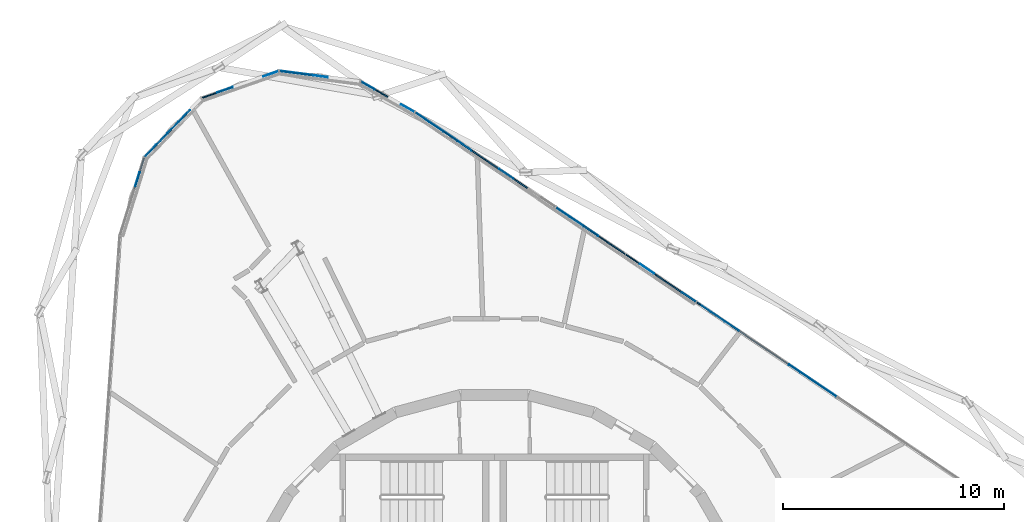
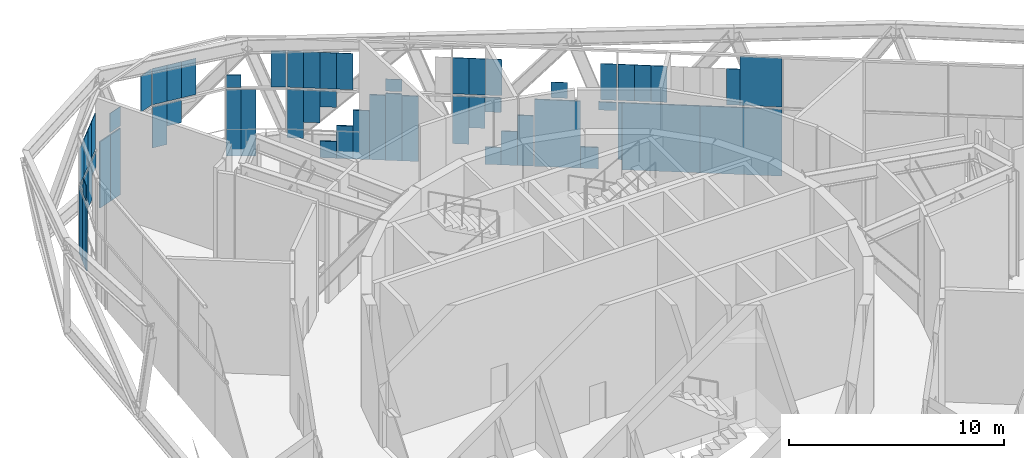
# One storey, part 14 of 24: 60 plates, 2 elements without a shape of their own.
"""IFC4 building model written with IfcOpenShell, lengths in metres."""

import ifcopenshell
import ifcopenshell.guid

model = None  # the IFC model being written
_history = None  # IfcOwnerHistory: only IFC2X3 demands one
_inside = {}  # id of a spatial element -> (the spatial element, [elements in it])
_under = {}  # id of a project, library or spatial element -> (it, [spatial elements below it])
_declared = {}  # id of a project -> (the project, [libraries it declares])
_typed = {}  # id of a type object -> (the type object, [elements of that type])
_made_of = {}  # id of a material, layer set ... -> (it, [elements and type objects made of it])


def new_model(schema):
    """Start an empty IFC model of exactly this schema.

    Asked for "IFC4X3", IfcOpenShell would pick the latest addendum, in which some entities
    have other attributes; the version numbers below select the first issue.
    IFC2X3 requires an IfcOwnerHistory on every rooted entity: one is made here for all.
    """
    global model, _history
    if schema == "IFC4X3":
        model = ifcopenshell.file(schema_version=(4, 3, 0, 0))
    else:
        model = ifcopenshell.file(schema=schema)
    _inside.clear()
    _under.clear()
    _declared.clear()
    _typed.clear()
    _made_of.clear()
    _history = None
    if model.schema == "IFC2X3":
        org = make("IfcOrganization", Name="unknown")
        user = make(
            "IfcPersonAndOrganization",
            ThePerson=make("IfcPerson", FamilyName="unknown"),
            TheOrganization=org,
        )
        app = make(
            "IfcApplication",
            ApplicationDeveloper=org,
            Version="unknown",
            ApplicationFullName="unknown",
            ApplicationIdentifier="unknown",
        )
        _history = make(
            "IfcOwnerHistory",
            OwningUser=user,
            OwningApplication=app,
            ChangeAction="ADDED",
            CreationDate=0,
        )
    return model


def make(cls, **values):
    """One entity of the class cls with the attributes given. An attribute that is None is left unset."""
    return model.create_entity(
        cls, **{name: value for name, value in values.items() if value is not None}
    )


def rooted(cls, **values):
    """An entity with a GlobalId (a new one), such as an element, a storey or a relation."""
    return make(cls, GlobalId=ifcopenshell.guid.new(), OwnerHistory=_history, **values)


def si_unit(unit_type, name, prefix=None):
    """IfcSIUnit, for example si_unit("LENGTHUNIT", "METRE", prefix="MILLI")."""
    return make("IfcSIUnit", UnitType=unit_type, Prefix=prefix, Name=name)


def assignment(units):
    """IfcUnitAssignment: the units of a project."""
    return None if units is None else make("IfcUnitAssignment", Units=units)


def point(xyz):
    """IfcCartesianPoint."""
    return None if xyz is None else make("IfcCartesianPoint", Coordinates=xyz)


def direction(xyz):
    """IfcDirection."""
    return None if xyz is None else make("IfcDirection", DirectionRatios=xyz)


def frame(location, z_axis=None, x_axis=None):
    """IfcAxis2Placement3D, a coordinate frame: its origin and axes. An axis left out is left unset."""
    return make(
        "IfcAxis2Placement3D",
        Location=point(location),
        Axis=direction(z_axis),
        RefDirection=direction(x_axis),
    )


def frame_2d(location, x_axis=None):
    """IfcAxis2Placement2D, a coordinate frame in the plane: its origin and x axis."""
    return make(
        "IfcAxis2Placement2D", Location=point(location), RefDirection=direction(x_axis)
    )


def origin():
    """The frame at (0, 0, 0) with its axes left unset."""
    return frame((0.0, 0.0, 0.0))


def origin_2d():
    """The frame at (0, 0) in the plane with its x axis left unset."""
    return frame_2d((0.0, 0.0))


def place(relative_to, where):
    """IfcLocalPlacement: puts the frame where relative to a parent placement (None: the world)."""
    return make(
        "IfcLocalPlacement", PlacementRelTo=relative_to, RelativePlacement=where
    )


def context(
    kind, dimensions, precision=None, world=None, true_north=None, identifier=None
):
    """IfcGeometricRepresentationContext, for example the 3D "Model" context."""
    return make(
        "IfcGeometricRepresentationContext",
        ContextIdentifier=identifier,
        ContextType=kind,
        CoordinateSpaceDimension=dimensions,
        Precision=precision,
        WorldCoordinateSystem=world,
        TrueNorth=true_north,
    )


def subcontext(parent, identifier, kind, view, scale=None):
    """IfcGeometricRepresentationSubContext, for example "Body" below "Model"."""
    return make(
        "IfcGeometricRepresentationSubContext",
        ContextIdentifier=identifier,
        ContextType=kind,
        ParentContext=parent,
        TargetScale=scale,
        TargetView=view,
    )


def project(units=None, contexts=None):
    """IfcProject with its units and contexts."""
    return rooted(
        "IfcProject",
        Name="project",
        RepresentationContexts=contexts,
        UnitsInContext=assignment(units),
    )


def spatial(cls, under=None, at=None, **own):
    """A site, building, storey or space (cls), placed at a placement, below another one or the project."""
    s = rooted(cls, ObjectPlacement=at, **own)
    if under is not None:
        _under.setdefault(under.id(), (under, []))[1].append(s)
    return s


def profile(cls, at=None, kind="AREA", **sizes):
    """A parametric profile (cls). Its sizes go by their IFC names, for example OverallWidth=200.0."""
    return make(cls, ProfileType=kind, Position=at, **sizes)


def rectangle(**sizes):
    """IfcRectangleProfileDef."""
    return profile("IfcRectangleProfileDef", **sizes)


def extrude(swept, where, along, depth):
    """IfcExtrudedAreaSolid: the profile swept, set in the frame where, extruded along a direction by depth."""
    return make(
        "IfcExtrudedAreaSolid",
        SweptArea=swept,
        Position=where,
        ExtrudedDirection=direction(along),
        Depth=depth,
    )


def shape(context_of_items, identifier, shape_type, items):
    """IfcShapeRepresentation: the items that make up one representation, for example the "Body"."""
    return make(
        "IfcShapeRepresentation",
        ContextOfItems=context_of_items,
        RepresentationIdentifier=identifier,
        RepresentationType=shape_type,
        Items=items,
    )


def material(Name=None, Category=None):
    """IfcMaterial."""
    return make("IfcMaterial", Name=Name, Category=Category)


def layer(
    of_material, thickness, ventilated=None, Name=None, Category=None, Priority=None
):
    """IfcMaterialLayer: one layer of a wall or slab, of a material (None: an air gap)."""
    return make(
        "IfcMaterialLayer",
        Material=of_material,
        LayerThickness=thickness,
        IsVentilated=ventilated,
        Name=Name,
        Category=Category,
        Priority=Priority,
    )


def layer_set(layers, Name=None):
    """IfcMaterialLayerSet."""
    return make("IfcMaterialLayerSet", MaterialLayers=layers, LayerSetName=Name)


def made_of(thing, what):
    """Note that an element or type object is made of a material, layer set ...; save() writes the relation."""
    if what is not None:
        _made_of.setdefault(what.id(), (what, []))[1].append(thing)
    return thing


def type_object(cls, material=None, **own):
    """A type object (cls), such as IfcWallType, which elements share."""
    return made_of(rooted(cls, **own), material)


def element(
    cls,
    number,
    at=None,
    inside=None,
    cuts=None,
    type_object=None,
    material=None,
    context=None,
    identifier="Body",
    shape_type=None,
    held_by="IfcProductDefinitionShape",
    body=None,
    shapes=None,
    **own,
):
    """One element of the class cls, such as IfcWall. Its Tag is "e" and its number.

    at: its placement. inside: the storey or other place that contains it. cuts: it is an
    opening in that element (IfcRelVoidsElement). A single representation is given by context,
    identifier, shape_type and body (its items); several are given by shapes. held_by: the class
    of the entity that holds the representations. save() writes the other relations.
    """
    e = rooted(cls, Tag="e%d" % number, ObjectPlacement=at, **own)
    if body is not None:
        shapes = [shape(context, identifier, shape_type, body)]
    if shapes is not None:
        e.Representation = make(held_by, Representations=shapes)
    if inside is not None:
        _inside.setdefault(inside.id(), (inside, []))[1].append(e)
    if cuts is not None:
        rooted(
            "IfcRelVoidsElement", RelatingBuildingElement=cuts, RelatedOpeningElement=e
        )
    if type_object is not None:
        _typed.setdefault(type_object.id(), (type_object, []))[1].append(e)
    return made_of(e, material)


def aggregate(whole, parts):
    """IfcRelAggregates: a whole, such as a stair, and the parts it consists of."""
    return rooted("IfcRelAggregates", RelatingObject=whole, RelatedObjects=parts)


def save(model, path):
    """Write the relations noted so far, then the file.

    IfcRelAggregates (storeys below a building ...), IfcRelContainedInSpatialStructure (elements
    in a storey), IfcRelDefinesByType, IfcRelAssociatesMaterial and IfcRelDeclares: one each for
    every whole, place, type object, material and project.
    """
    for whole, parts in _under.values():
        aggregate(whole, parts)
    for where, things in _inside.values():
        rooted(
            "IfcRelContainedInSpatialStructure",
            RelatedElements=things,
            RelatingStructure=where,
        )
    for kind, things in _typed.values():
        rooted("IfcRelDefinesByType", RelatedObjects=things, RelatingType=kind)
    for what, things in _made_of.values():
        rooted("IfcRelAssociatesMaterial", RelatedObjects=things, RelatingMaterial=what)
    for by, libraries in _declared.values():
        rooted("IfcRelDeclares", RelatingContext=by, RelatedDefinitions=libraries)
    model.write(path)


model = new_model("IFC4")

# Units and contexts
model_context = context("Model", 3, precision=1e-05, world=origin(), true_north=direction((0.0, 1.0)))
body_context = subcontext(model_context, "Body", "Model", "MODEL_VIEW")
ifc_project = project(units=[si_unit("LENGTHUNIT", "METRE"), si_unit("AREAUNIT", "SQUARE_METRE"), si_unit("VOLUMEUNIT", "CUBIC_METRE"), si_unit("PLANEANGLEUNIT", "RADIAN"), si_unit("MASSUNIT", "GRAM", prefix="KILO")], contexts=[model_context])

# Site, building, storey
site_placement = place(None, origin())
site = spatial("IfcSite", under=ifc_project, at=site_placement, CompositionType="ELEMENT")
building_placement = place(site_placement, origin())
building = spatial("IfcBuilding", under=site, at=building_placement, Name="Spindle Arch Residences", CompositionType="ELEMENT")
storey_placement = place(building_placement, frame((0.0, 0.0, 219.89990234375)))
storey = spatial("IfcBuildingStorey", under=building, at=storey_placement, Name="L56", CompositionType="ELEMENT", Elevation=219.89990234375)

# Curtain wall, plates
ifc_material_1 = material(Name="Aluminium bronze unitised frame with tinted glass", Category="aluminium")
ifc_layer_1 = layer(ifc_material_1, 0.159912109375)
ifc_layer_set_1 = layer_set([ifc_layer_1], Name="CW-E double-height winter garden wall")
curtain_wall_type = type_object("IfcCurtainWallType", Name="CW-E double-height winter garden wall", PredefinedType="NOTDEFINED", material=ifc_layer_set_1)
curtain_wall_1_placement = place(storey_placement, origin())
curtain_wall_1 = element("IfcCurtainWall", 1, at=curtain_wall_1_placement, inside=storey, type_object=curtain_wall_type, Name="CW-E L56 run 2", PredefinedType="NOTDEFINED")
ifc_material_2 = material(Name="Tinted laminated glass 28 mm", Category="glass")
ifc_layer_2 = layer(ifc_material_2, 0.028076171875)
ifc_layer_set_2 = layer_set([ifc_layer_2], Name="Tinted glass panel 28 mm")
plate_type_1 = type_object("IfcPlateType", Name="Tinted glass panel 28 mm", PredefinedType="CURTAIN_PANEL", material=ifc_layer_set_2)
plate_1_placement = place(storey_placement, frame((14.6865234375, 12.1201171875, 3.460205078125), z_axis=(0.0, 0.0, 1.0), x_axis=(-0.829037572555, 0.559192903471, 0.0)))
plate_1 = element("IfcPlate", 2, at=plate_1_placement, type_object=plate_type_1, Name="CW-E panel 06Ab.1", PredefinedType="CURTAIN_PANEL", context=body_context, shape_type="SweptSolid", body=[
    extrude(rectangle(XDim=1.96630859375, YDim=0.028076171875, at=origin_2d()), origin(), (0.0, 0.0, 1.0), 2.77001953125),
])
plate_2_placement = place(storey_placement, frame((13.615966796875, 12.842529296875, 3.460205078125), z_axis=(0.0, 0.0, 1.0), x_axis=(-0.829037572555, 0.559192903471, 0.0)))
plate_2 = element("IfcPlate", 3, at=plate_2_placement, type_object=plate_type_1, Name="CW-E panel 06Ab.2", PredefinedType="CURTAIN_PANEL", context=body_context, shape_type="SweptSolid", body=[
    extrude(rectangle(XDim=0.616943359375, YDim=0.028076171875, at=origin_2d()), origin(), (0.0, 0.0, 1.0), 2.0458984375),
])
plate_3_placement = place(storey_placement, frame((10.75537109375, 14.77197265625, 3.460205078125), z_axis=(0.0, 0.0, 1.0), x_axis=(-0.829037572555, 0.559192903471, 0.0)))
plate_3 = element("IfcPlate", 4, at=plate_3_placement, type_object=plate_type_1, Name="CW-E panel 06Bb.3", PredefinedType="CURTAIN_PANEL", context=body_context, shape_type="SweptSolid", body=[
    extrude(rectangle(XDim=0.763427734375, YDim=0.028076171875, at=origin_2d()), origin(), (0.0, 0.0, 1.0), 2.0458984375),
])
plate_4_placement = place(storey_placement, frame((10.122314453125, 15.19873046875, 3.460205078125), z_axis=(0.0, 0.0, 1.0), x_axis=(-0.829037572555, 0.559192903471, 0.0)))
plate_4 = element("IfcPlate", 5, at=plate_4_placement, type_object=plate_type_1, Name="CW-E panel 06Bb.4", PredefinedType="CURTAIN_PANEL", context=body_context, shape_type="SweptSolid", body=[
    extrude(rectangle(XDim=0.763427734375, YDim=0.028076171875, at=origin_2d()), origin(), (0.0, 0.0, 1.0), 2.0458984375),
])
plate_5_placement = place(storey_placement, frame((9.489501953125, 15.625732421875, 3.460205078125), z_axis=(0.0, 0.0, 1.0), x_axis=(-0.829037572555, 0.559192903471, 0.0)))
plate_5 = element("IfcPlate", 6, at=plate_5_placement, type_object=plate_type_1, Name="CW-E panel 06Bb.5", PredefinedType="CURTAIN_PANEL", context=body_context, shape_type="SweptSolid", body=[
    extrude(rectangle(XDim=0.763427734375, YDim=0.028076171875, at=origin_2d()), origin(), (0.0, 0.0, 1.0), 2.0458984375),
])
plate_6_placement = place(storey_placement, frame((8.806884765625, 16.086181640625, 3.460205078125), z_axis=(0.0, 0.0, 1.0), x_axis=(-0.829037572555, 0.559192903471, 0.0)))
plate_6 = element("IfcPlate", 7, at=plate_6_placement, type_object=plate_type_1, Name="CW-E panel 07Ab.1", PredefinedType="CURTAIN_PANEL", context=body_context, shape_type="SweptSolid", body=[
    extrude(rectangle(XDim=0.763427734375, YDim=0.028076171875, at=origin_2d()), origin(), (0.0, 0.0, 1.0), 2.0458984375),
])
plate_7_placement = place(storey_placement, frame((6.908447265625, 17.36669921875, 3.460205078125), z_axis=(0.0, 0.0, 1.0), x_axis=(-0.829037572555, 0.559192903471, 0.0)))
plate_7 = element("IfcPlate", 8, at=plate_7_placement, type_object=plate_type_1, Name="CW-E panel 07Ab.2", PredefinedType="CURTAIN_PANEL", context=body_context, shape_type="SweptSolid", body=[
    extrude(rectangle(XDim=0.763427734375, YDim=0.028076171875, at=origin_2d()), origin(), (0.0, 0.0, 1.0), 0.88525390625),
])
plate_8_placement = place(storey_placement, frame((4.376953125, 19.07421875, 3.460205078125), z_axis=(0.0, 0.0, 1.0), x_axis=(-0.829037572555, 0.559192903471, 0.0)))
plate_8 = element("IfcPlate", 9, at=plate_8_placement, type_object=plate_type_1, Name="CW-E panel 07Bb.1", PredefinedType="CURTAIN_PANEL", context=body_context, shape_type="SweptSolid", body=[
    extrude(rectangle(XDim=0.763427734375, YDim=0.028076171875, at=origin_2d()), origin(), (0.0, 0.0, 1.0), 2.0458984375),
])
plate_9_placement = place(storey_placement, frame((3.743896484375, 19.5009765625, 3.460205078125), z_axis=(0.0, 0.0, 1.0), x_axis=(-0.829037572555, 0.559192903471, 0.0)))
plate_9 = element("IfcPlate", 10, at=plate_9_placement, type_object=plate_type_1, Name="CW-E panel 07Bb.2", PredefinedType="CURTAIN_PANEL", context=body_context, shape_type="SweptSolid", body=[
    extrude(rectangle(XDim=0.763427734375, YDim=0.028076171875, at=origin_2d()), origin(), (0.0, 0.0, 1.0), 2.0458984375),
])
plate_10_placement = place(storey_placement, frame((3.111083984375, 19.927978515625, 3.460205078125), z_axis=(0.0, 0.0, 1.0), x_axis=(-0.829037572555, 0.559192903471, 0.0)))
plate_10 = element("IfcPlate", 11, at=plate_10_placement, type_object=plate_type_1, Name="CW-E panel 07Bb.3", PredefinedType="CURTAIN_PANEL", context=body_context, shape_type="SweptSolid", body=[
    extrude(rectangle(XDim=0.763427734375, YDim=0.028076171875, at=origin_2d()), origin(), (0.0, 0.0, 1.0), 2.0458984375),
])
plate_11_placement = place(storey_placement, frame((0.530029296875, 21.6689453125, 3.4599609375), z_axis=(0.0, 0.0, 1.0), x_axis=(-0.829037572555, 0.559192903471, 0.0)))
plate_11 = element("IfcPlate", 12, at=plate_11_placement, type_object=plate_type_1, Name="CW-E panel 08Ab.2", PredefinedType="CURTAIN_PANEL", context=body_context, shape_type="SweptSolid", body=[
    extrude(rectangle(XDim=0.763427734375, YDim=0.028076171875, at=origin_2d()), origin(), (0.0, 0.0, 1.0), 0.683349609375),
])
plate_12_placement = place(storey_placement, frame((-1.36865234375, 22.94970703125, 3.460205078125), z_axis=(0.0, 0.0, 1.0), x_axis=(-0.829037572555, 0.559192903471, 0.0)))
plate_12 = element("IfcPlate", 13, at=plate_12_placement, type_object=plate_type_1, Name="CW-E panel 08Bb.1", PredefinedType="CURTAIN_PANEL", context=body_context, shape_type="SweptSolid", body=[
    extrude(rectangle(XDim=0.763427734375, YDim=0.028076171875, at=origin_2d()), origin(), (0.0, 0.0, 1.0), 2.0458984375),
])
plate_13_placement = place(storey_placement, frame((-2.00146484375, 23.37646484375, 3.460205078125), z_axis=(0.0, 0.0, 1.0), x_axis=(-0.829037572555, 0.559192903471, 0.0)))
plate_13 = element("IfcPlate", 14, at=plate_13_placement, type_object=plate_type_1, Name="CW-E panel 08Bb.2", PredefinedType="CURTAIN_PANEL", context=body_context, shape_type="SweptSolid", body=[
    extrude(rectangle(XDim=0.763427734375, YDim=0.028076171875, at=origin_2d()), origin(), (0.0, 0.0, 1.0), 2.0458984375),
])
plate_14_placement = place(storey_placement, frame((-2.63427734375, 23.803466796875, 3.460205078125), z_axis=(0.0, 0.0, 1.0), x_axis=(-0.829037572555, 0.559192903471, 0.0)))
plate_14 = element("IfcPlate", 15, at=plate_14_placement, type_object=plate_type_1, Name="CW-E panel 08Bb.3", PredefinedType="CURTAIN_PANEL", context=body_context, shape_type="SweptSolid", body=[
    extrude(rectangle(XDim=0.763427734375, YDim=0.028076171875, at=origin_2d()), origin(), (0.0, 0.0, 1.0), 2.0458984375),
])
plate_15_placement = place(storey_placement, frame((-3.267333984375, 24.230224609375, 3.460205078125), z_axis=(0.0, 0.0, 1.0), x_axis=(-0.829037572555, 0.559192903471, 0.0)))
plate_15 = element("IfcPlate", 16, at=plate_15_placement, type_object=plate_type_1, Name="CW-E panel 08Bb.4", PredefinedType="CURTAIN_PANEL", context=body_context, shape_type="SweptSolid", body=[
    extrude(rectangle(XDim=0.763427734375, YDim=0.028076171875, at=origin_2d()), origin(), (0.0, 0.0, 1.0), 2.0458984375),
])

curtain_wall_2_placement = place(storey_placement, origin())
curtain_wall_2 = element("IfcCurtainWall", 17, at=curtain_wall_2_placement, inside=storey, type_object=curtain_wall_type, Name="CW-E L56 run 3", PredefinedType="NOTDEFINED")
plate_16_placement = place(storey_placement, frame((-3.936279296875, 24.646728515625, 3.460205078125), z_axis=(0.0, 0.0, 1.0), x_axis=(-0.86953871595, 0.493864780547, 0.0)))
plate_16 = element("IfcPlate", 18, at=plate_16_placement, type_object=plate_type_1, Name="CW-E panel 00b.1", PredefinedType="CURTAIN_PANEL", context=body_context, shape_type="SweptSolid", body=[
    extrude(rectangle(XDim=0.69384765625, YDim=0.028076171875, at=origin_2d()), origin(), (0.0, 0.0, 1.0), 2.0458984375),
])
plate_17_placement = place(storey_placement, frame((-5.746337890625, 25.6748046875, 3.4599609375), z_axis=(0.0, 0.0, 1.0), x_axis=(-0.86953871595, 0.493864780547, 0.0)))
plate_17 = element("IfcPlate", 19, at=plate_17_placement, type_object=plate_type_1, Name="CW-E panel 00b.2", PredefinedType="CURTAIN_PANEL", context=body_context, shape_type="SweptSolid", body=[
    extrude(rectangle(XDim=0.69384765625, YDim=0.028076171875, at=origin_2d()), origin(), (0.0, 0.0, 1.0), 0.699462890625),
])
plate_18_placement = place(storey_placement, frame((-7.92236328125, 26.0986328125, 3.460205078125), z_axis=(0.0, 0.0, 1.0), x_axis=(-0.991820351023, 0.127641651888, 0.0)))
plate_18 = element("IfcPlate", 20, at=plate_18_placement, type_object=plate_type_1, Name="CW-E panel 01b.1", PredefinedType="CURTAIN_PANEL", context=body_context, shape_type="SweptSolid", body=[
    extrude(rectangle(XDim=0.7333984375, YDim=0.028076171875, at=origin_2d()), origin(), (0.0, 0.0, 1.0), 2.0458984375),
])
plate_19_placement = place(storey_placement, frame((-8.649658203125, 26.1923828125, 3.460205078125), z_axis=(0.0, 0.0, 1.0), x_axis=(-0.991820351023, 0.127641651888, 0.0)))
plate_19 = element("IfcPlate", 21, at=plate_19_placement, type_object=plate_type_1, Name="CW-E panel 01b.2", PredefinedType="CURTAIN_PANEL", context=body_context, shape_type="SweptSolid", body=[
    extrude(rectangle(XDim=0.7333984375, YDim=0.028076171875, at=origin_2d()), origin(), (0.0, 0.0, 1.0), 2.0458984375),
])
plate_20_placement = place(storey_placement, frame((-9.376953125, 26.285888671875, 3.460205078125), z_axis=(0.0, 0.0, 1.0), x_axis=(-0.991820351023, 0.127641651888, 0.0)))
plate_20 = element("IfcPlate", 22, at=plate_20_placement, type_object=plate_type_1, Name="CW-E panel 01b.3", PredefinedType="CURTAIN_PANEL", context=body_context, shape_type="SweptSolid", body=[
    extrude(rectangle(XDim=0.7333984375, YDim=0.028076171875, at=origin_2d()), origin(), (0.0, 0.0, 1.0), 2.0458984375),
])
plate_21_placement = place(storey_placement, frame((-10.144775390625, 26.205322265625, 3.460205078125), z_axis=(0.0, 0.0, 1.0), x_axis=(-0.943608508302, -0.331063412445, 0.0)))
plate_21 = element("IfcPlate", 23, at=plate_21_placement, type_object=plate_type_1, Name="CW-E panel 02b.1", PredefinedType="CURTAIN_PANEL", context=body_context, shape_type="SweptSolid", body=[
    extrude(rectangle(XDim=0.7333984375, YDim=0.028076171875, at=origin_2d()), origin(), (0.0, 0.0, 1.0), 2.0458984375),
])
plate_22_placement = place(storey_placement, frame((-12.220703125, 25.476806640625, 3.4599609375), z_axis=(0.0, 0.0, 1.0), x_axis=(-0.943608508302, -0.331063412445, 0.0)))
plate_22 = element("IfcPlate", 24, at=plate_22_placement, type_object=plate_type_1, Name="CW-E panel 02b.2", PredefinedType="CURTAIN_PANEL", context=body_context, shape_type="SweptSolid", body=[
    extrude(rectangle(XDim=0.7333984375, YDim=0.028076171875, at=origin_2d()), origin(), (0.0, 0.0, 1.0), 1.093994140625),
])
plate_23_placement = place(storey_placement, frame((-14.072021484375, 24.289794921875, 3.460205078125), z_axis=(0.0, 0.0, 1.0), x_axis=(-0.694658368802, -0.719339801939, 0.0)))
plate_23 = element("IfcPlate", 25, at=plate_23_placement, type_object=plate_type_1, Name="CW-E panel 03b.1", PredefinedType="CURTAIN_PANEL", context=body_context, shape_type="SweptSolid", body=[
    extrude(rectangle(XDim=0.7333984375, YDim=0.028076171875, at=origin_2d()), origin(), (0.0, 0.0, 1.0), 2.0458984375),
])
plate_24_placement = place(storey_placement, frame((-14.58154296875, 23.762451171875, 3.460205078125), z_axis=(0.0, 0.0, 1.0), x_axis=(-0.694658368802, -0.719339801939, 0.0)))
plate_24 = element("IfcPlate", 26, at=plate_24_placement, type_object=plate_type_1, Name="CW-E panel 03b.2", PredefinedType="CURTAIN_PANEL", context=body_context, shape_type="SweptSolid", body=[
    extrude(rectangle(XDim=0.7333984375, YDim=0.028076171875, at=origin_2d()), origin(), (0.0, 0.0, 1.0), 2.0458984375),
])
plate_25_placement = place(storey_placement, frame((-15.0908203125, 23.23486328125, 3.460205078125), z_axis=(0.0, 0.0, 1.0), x_axis=(-0.694658368802, -0.719339801939, 0.0)))
plate_25 = element("IfcPlate", 27, at=plate_25_placement, type_object=plate_type_1, Name="CW-E panel 03b.3", PredefinedType="CURTAIN_PANEL", context=body_context, shape_type="SweptSolid", body=[
    extrude(rectangle(XDim=0.7333984375, YDim=0.028076171875, at=origin_2d()), origin(), (0.0, 0.0, 1.0), 2.0458984375),
])
plate_26_placement = place(storey_placement, frame((-15.600341796875, 22.707275390625, 3.460205078125), z_axis=(0.0, 0.0, 1.0), x_axis=(-0.694658368802, -0.719339801939, 0.0)))
plate_26 = element("IfcPlate", 28, at=plate_26_placement, type_object=plate_type_1, Name="CW-E panel 03b.4", PredefinedType="CURTAIN_PANEL", context=body_context, shape_type="SweptSolid", body=[
    extrude(rectangle(XDim=0.7333984375, YDim=0.028076171875, at=origin_2d()), origin(), (0.0, 0.0, 1.0), 2.0458984375),
])
plate_27_placement = place(storey_placement, frame((-16.1865234375, 21.426513671875, 3.4599609375), z_axis=(0.0, 0.0, 1.0), x_axis=(-0.297930275218, -0.954587634064, 0.0)))
plate_27 = element("IfcPlate", 29, at=plate_27_placement, type_object=plate_type_1, Name="CW-E panel 04b.2", PredefinedType="CURTAIN_PANEL", context=body_context, shape_type="SweptSolid", body=[
    extrude(rectangle(XDim=0.675048828125, YDim=0.028076171875, at=origin_2d()), origin(), (0.0, 0.0, 1.0), 0.8720703125),
])

# Plate
ifc_material_3 = material(Name="Tinted double glazing over aluminium faced non-combustible spandrel zone (K0)", Category="aluminium")
ifc_layer_3 = layer(ifc_material_3, 0.06005859375)
ifc_layer_set_3 = layer_set([ifc_layer_3], Name="Unitised glass panel with E 60 spandrel zone")
plate_type_2 = type_object("IfcPlateType", Name="Unitised glass panel with E 60 spandrel zone", PredefinedType="CURTAIN_PANEL", material=ifc_layer_set_3)
plate_28_placement = place(storey_placement, frame((13.919677734375, 12.6376953125, -0.449951171875), z_axis=(0.0, 0.0, 1.0), x_axis=(-0.829037572555, 0.559192903471, 0.0)))
plate_28 = element("IfcPlate", 30, at=plate_28_placement, type_object=plate_type_2, Name="CW-E unit 06Aa", PredefinedType="CURTAIN_PANEL", context=body_context, shape_type="SweptSolid", body=[
    extrude(rectangle(XDim=3.81689453125, YDim=0.06005859375, at=origin_2d()), origin(), (0.0, 0.0, 1.0), 3.7900390625),
])

plate_29_placement = place(storey_placement, frame((10.83154296875, 14.720458984375, -0.449951171875), z_axis=(0.0, 0.0, 1.0), x_axis=(-0.829037572555, 0.559192903471, 0.0)))
plate_29 = element("IfcPlate", 31, at=plate_29_placement, type_object=plate_type_2, Name="CW-E panel 06Ba.1", PredefinedType="CURTAIN_PANEL", context=body_context, shape_type="SweptSolid", body=[
    extrude(rectangle(XDim=3.632568359375, YDim=0.06005859375, at=origin_2d()), origin(), (0.0, 0.0, 1.0), 3.7900390625),
])

plate_30_placement = place(storey_placement, frame((9.24951171875, 15.78759765625, 0.114013671875), z_axis=(0.0, 0.0, 1.0), x_axis=(-0.829037572555, 0.559192903471, 0.0)))
plate_30 = element("IfcPlate", 32, at=plate_30_placement, type_object=plate_type_2, Name="CW-E panel 06Ba.2", PredefinedType="CURTAIN_PANEL", context=body_context, shape_type="SweptSolid", body=[
    extrude(rectangle(XDim=0.18408203125, YDim=0.06005859375, at=origin_2d()), origin(), (0.0, 0.0, 1.0), 3.22607421875),
])

plate_31_placement = place(storey_placement, frame((8.7734375, 16.108642578125, 2.881591796875), z_axis=(0.0, 0.0, 1.0), x_axis=(-0.829037572555, 0.559192903471, 0.0)))
plate_31 = element("IfcPlate", 33, at=plate_31_placement, type_object=plate_type_2, Name="CW-E panel 07Aa.1", PredefinedType="CURTAIN_PANEL", context=body_context, shape_type="SweptSolid", body=[
    extrude(rectangle(XDim=0.843994140625, YDim=0.06005859375, at=origin_2d()), origin(), (0.0, 0.0, 1.0), 0.45849609375),
])

plate_32_placement = place(storey_placement, frame((8.07373046875, 16.580810546875, -0.449951171875), z_axis=(0.0, 0.0, 1.0), x_axis=(-0.829037572555, 0.559192903471, 0.0)))
plate_32 = element("IfcPlate", 34, at=plate_32_placement, type_object=plate_type_2, Name="CW-E panel 07Aa.2", PredefinedType="CURTAIN_PANEL", context=body_context, shape_type="SweptSolid", body=[
    extrude(rectangle(XDim=0.843994140625, YDim=0.06005859375, at=origin_2d()), origin(), (0.0, 0.0, 1.0), 1.2060546875),
])

plate_33_placement = place(storey_placement, frame((6.84130859375, 17.411865234375, -0.449951171875), z_axis=(0.0, 0.0, 1.0), x_axis=(-0.829037572555, 0.559192903471, 0.0)))
plate_33 = element("IfcPlate", 35, at=plate_33_placement, type_object=plate_type_2, Name="CW-E panel 07Aa.3", PredefinedType="CURTAIN_PANEL", context=body_context, shape_type="SweptSolid", body=[
    extrude(rectangle(XDim=2.128662109375, YDim=0.06005859375, at=origin_2d()), origin(), (0.0, 0.0, 1.0), 3.7900390625),
])

plate_34_placement = place(storey_placement, frame((5.6083984375, 18.243408203125, -0.44970703125), z_axis=(0.0, 0.0, 1.0), x_axis=(-0.829037572555, 0.559192903471, 0.0)))
plate_34 = element("IfcPlate", 36, at=plate_34_placement, type_object=plate_type_2, Name="CW-E panel 07Ba.1", PredefinedType="CURTAIN_PANEL", context=body_context, shape_type="SweptSolid", body=[
    extrude(rectangle(XDim=0.754150390625, YDim=0.06005859375, at=origin_2d()), origin(), (0.0, 0.0, 1.0), 2.852783203125),
])

plate_35_placement = place(storey_placement, frame((4.983154296875, 18.665283203125, -0.449951171875), z_axis=(0.0, 0.0, 1.0), x_axis=(-0.829037572555, 0.559192903471, 0.0)))
plate_35 = element("IfcPlate", 37, at=plate_35_placement, type_object=plate_type_2, Name="CW-E panel 07Ba.2", PredefinedType="CURTAIN_PANEL", context=body_context, shape_type="SweptSolid", body=[
    extrude(rectangle(XDim=0.754150390625, YDim=0.06005859375, at=origin_2d()), origin(), (0.0, 0.0, 1.0), 1.91552734375),
])

plate_36_placement = place(storey_placement, frame((4.35791015625, 19.0869140625, -0.44970703125), z_axis=(0.0, 0.0, 1.0), x_axis=(-0.829037572555, 0.559192903471, 0.0)))
plate_36 = element("IfcPlate", 38, at=plate_36_placement, type_object=plate_type_2, Name="CW-E panel 07Ba.3", PredefinedType="CURTAIN_PANEL", context=body_context, shape_type="SweptSolid", body=[
    extrude(rectangle(XDim=0.754150390625, YDim=0.06005859375, at=origin_2d()), origin(), (0.0, 0.0, 1.0), 0.978271484375),
])

plate_37_placement = place(storey_placement, frame((4.35791015625, 19.0869140625, 2.518310546875), z_axis=(0.0, 0.0, 1.0), x_axis=(-0.829037572555, 0.559192903471, 0.0)))
plate_37 = element("IfcPlate", 39, at=plate_37_placement, type_object=plate_type_2, Name="CW-E panel 07Ba.4", PredefinedType="CURTAIN_PANEL", context=body_context, shape_type="SweptSolid", body=[
    extrude(rectangle(XDim=0.754150390625, YDim=0.06005859375, at=origin_2d()), origin(), (0.0, 0.0, 1.0), 0.82177734375),
])

plate_38_placement = place(storey_placement, frame((3.732666015625, 19.5087890625, 1.5810546875), z_axis=(0.0, 0.0, 1.0), x_axis=(-0.829037572555, 0.559192903471, 0.0)))
plate_38 = element("IfcPlate", 40, at=plate_38_placement, type_object=plate_type_2, Name="CW-E panel 07Ba.5", PredefinedType="CURTAIN_PANEL", context=body_context, shape_type="SweptSolid", body=[
    extrude(rectangle(XDim=0.754150390625, YDim=0.06005859375, at=origin_2d()), origin(), (0.0, 0.0, 1.0), 1.759033203125),
])

plate_39_placement = place(storey_placement, frame((3.107421875, 19.930419921875, 0.64404296875), z_axis=(0.0, 0.0, 1.0), x_axis=(-0.829037572555, 0.559192903471, 0.0)))
plate_39 = element("IfcPlate", 41, at=plate_39_placement, type_object=plate_type_2, Name="CW-E panel 07Ba.6", PredefinedType="CURTAIN_PANEL", context=body_context, shape_type="SweptSolid", body=[
    extrude(rectangle(XDim=0.754150390625, YDim=0.06005859375, at=origin_2d()), origin(), (0.0, 0.0, 1.0), 2.696044921875),
])

plate_40_placement = place(storey_placement, frame((1.162841796875, 21.2421875, -0.44970703125), z_axis=(0.0, 0.0, 1.0), x_axis=(-0.829037572555, 0.559192903471, 0.0)))
plate_40 = element("IfcPlate", 42, at=plate_40_placement, type_object=plate_type_2, Name="CW-E panel 08Aa.3", PredefinedType="CURTAIN_PANEL", context=body_context, shape_type="SweptSolid", body=[
    extrude(rectangle(XDim=0.763427734375, YDim=0.06005859375, at=origin_2d()), origin(), (0.0, 0.0, 1.0), 3.697021484375),
])

plate_41_placement = place(storey_placement, frame((0.530029296875, 21.6689453125, -0.449951171875), z_axis=(0.0, 0.0, 1.0), x_axis=(-0.829037572555, 0.559192903471, 0.0)))
plate_41 = element("IfcPlate", 43, at=plate_41_placement, type_object=plate_type_2, Name="CW-E panel 08Aa.4", PredefinedType="CURTAIN_PANEL", context=body_context, shape_type="SweptSolid", body=[
    extrude(rectangle(XDim=0.763427734375, YDim=0.06005859375, at=origin_2d()), origin(), (0.0, 0.0, 1.0), 3.7900390625),
])

plate_42_placement = place(storey_placement, frame((-0.10302734375, 22.095947265625, -0.449951171875), z_axis=(0.0, 0.0, 1.0), x_axis=(-0.829037572555, 0.559192903471, 0.0)))
plate_42 = element("IfcPlate", 44, at=plate_42_placement, type_object=plate_type_2, Name="CW-E panel 08Aa.5", PredefinedType="CURTAIN_PANEL", context=body_context, shape_type="SweptSolid", body=[
    extrude(rectangle(XDim=0.763427734375, YDim=0.06005859375, at=origin_2d()), origin(), (0.0, 0.0, 1.0), 3.68017578125),
])

plate_43_placement = place(storey_placement, frame((-0.73583984375, 22.522705078125, -0.449951171875), z_axis=(0.0, 0.0, 1.0), x_axis=(-0.829037572555, 0.559192903471, 0.0)))
plate_43 = element("IfcPlate", 45, at=plate_43_placement, type_object=plate_type_2, Name="CW-E panel 08Ba.1", PredefinedType="CURTAIN_PANEL", context=body_context, shape_type="SweptSolid", body=[
    extrude(rectangle(XDim=0.763427734375, YDim=0.06005859375, at=origin_2d()), origin(), (0.0, 0.0, 1.0), 2.76708984375),
])

plate_44_placement = place(storey_placement, frame((-1.36865234375, 22.94970703125, -0.449951171875), z_axis=(0.0, 0.0, 1.0), x_axis=(-0.829037572555, 0.559192903471, 0.0)))
plate_44 = element("IfcPlate", 46, at=plate_44_placement, type_object=plate_type_2, Name="CW-E panel 08Ba.2", PredefinedType="CURTAIN_PANEL", context=body_context, shape_type="SweptSolid", body=[
    extrude(rectangle(XDim=0.763427734375, YDim=0.06005859375, at=origin_2d()), origin(), (0.0, 0.0, 1.0), 1.85400390625),
])

plate_45_placement = place(storey_placement, frame((-2.00146484375, 23.37646484375, -0.44970703125), z_axis=(0.0, 0.0, 1.0), x_axis=(-0.829037572555, 0.559192903471, 0.0)))
plate_45 = element("IfcPlate", 47, at=plate_45_placement, type_object=plate_type_2, Name="CW-E panel 08Ba.3", PredefinedType="CURTAIN_PANEL", context=body_context, shape_type="SweptSolid", body=[
    extrude(rectangle(XDim=0.763427734375, YDim=0.06005859375, at=origin_2d()), origin(), (0.0, 0.0, 1.0), 0.940673828125),
])

plate_46_placement = place(storey_placement, frame((-2.00146484375, 23.37646484375, 2.43310546875), z_axis=(0.0, 0.0, 1.0), x_axis=(-0.829037572555, 0.559192903471, 0.0)))
plate_46 = element("IfcPlate", 48, at=plate_46_placement, type_object=plate_type_2, Name="CW-E panel 08Ba.4", PredefinedType="CURTAIN_PANEL", context=body_context, shape_type="SweptSolid", body=[
    extrude(rectangle(XDim=0.763427734375, YDim=0.06005859375, at=origin_2d()), origin(), (0.0, 0.0, 1.0), 0.906982421875),
])

plate_47_placement = place(storey_placement, frame((-2.63427734375, 23.803466796875, 1.519775390625), z_axis=(0.0, 0.0, 1.0), x_axis=(-0.829037572555, 0.559192903471, 0.0)))
plate_47 = element("IfcPlate", 49, at=plate_47_placement, type_object=plate_type_2, Name="CW-E panel 08Ba.5", PredefinedType="CURTAIN_PANEL", context=body_context, shape_type="SweptSolid", body=[
    extrude(rectangle(XDim=0.763427734375, YDim=0.06005859375, at=origin_2d()), origin(), (0.0, 0.0, 1.0), 1.8203125),
])

plate_48_placement = place(storey_placement, frame((-3.267333984375, 24.230224609375, 0.606689453125), z_axis=(0.0, 0.0, 1.0), x_axis=(-0.829037572555, 0.559192903471, 0.0)))
plate_48 = element("IfcPlate", 50, at=plate_48_placement, type_object=plate_type_2, Name="CW-E panel 08Ba.6", PredefinedType="CURTAIN_PANEL", context=body_context, shape_type="SweptSolid", body=[
    extrude(rectangle(XDim=0.763427734375, YDim=0.06005859375, at=origin_2d()), origin(), (0.0, 0.0, 1.0), 2.7333984375),
])

aggregate(curtain_wall_1, [plate_28, plate_1, plate_2, plate_29, plate_30, plate_3, plate_4, plate_5, plate_31, plate_32, plate_33, plate_6, plate_7, plate_34, plate_35, plate_36, plate_37, plate_38, plate_39, plate_8, plate_9, plate_10, plate_40, plate_41, plate_42, plate_11, plate_43, plate_44, plate_45, plate_46, plate_47, plate_48, plate_12, plate_13, plate_14, plate_15])

plate_49_placement = place(storey_placement, frame((-5.14306640625, 25.33203125, -0.419921875), z_axis=(0.0, 0.0, 1.0), x_axis=(-0.86953871595, 0.493864780547, 0.0)))
plate_49 = element("IfcPlate", 51, at=plate_49_placement, type_object=plate_type_2, Name="CW-E panel 00a.1", PredefinedType="CURTAIN_PANEL", context=body_context, shape_type="SweptSolid", body=[
    extrude(rectangle(XDim=0.69384765625, YDim=0.06005859375, at=origin_2d()), origin(), (0.0, 0.0, 1.0), 3.760009765625),
])

plate_50_placement = place(storey_placement, frame((-5.746337890625, 25.6748046875, -0.419921875), z_axis=(0.0, 0.0, 1.0), x_axis=(-0.86953871595, 0.493864780547, 0.0)))
plate_50 = element("IfcPlate", 52, at=plate_50_placement, type_object=plate_type_2, Name="CW-E panel 00a.2", PredefinedType="CURTAIN_PANEL", context=body_context, shape_type="SweptSolid", body=[
    extrude(rectangle(XDim=0.69384765625, YDim=0.06005859375, at=origin_2d()), origin(), (0.0, 0.0, 1.0), 3.760009765625),
])

plate_51_placement = place(storey_placement, frame((-8.649658203125, 26.1923828125, 2.072998046875), z_axis=(0.0, 0.0, 1.0), x_axis=(-0.991820351023, 0.127641651888, 0.0)))
plate_51 = element("IfcPlate", 53, at=plate_51_placement, type_object=plate_type_2, Name="CW-E panel 01a.2", PredefinedType="CURTAIN_PANEL", context=body_context, shape_type="SweptSolid", body=[
    extrude(rectangle(XDim=0.7333984375, YDim=0.06005859375, at=origin_2d()), origin(), (0.0, 0.0, 1.0), 1.26708984375),
])

plate_52_placement = place(storey_placement, frame((-9.376953125, 26.285888671875, 1.025634765625), z_axis=(0.0, 0.0, 1.0), x_axis=(-0.991820351023, 0.127641651888, 0.0)))
plate_52 = element("IfcPlate", 54, at=plate_52_placement, type_object=plate_type_2, Name="CW-E panel 01a.3", PredefinedType="CURTAIN_PANEL", context=body_context, shape_type="SweptSolid", body=[
    extrude(rectangle(XDim=0.7333984375, YDim=0.06005859375, at=origin_2d()), origin(), (0.0, 0.0, 1.0), 2.314453125),
])

plate_53_placement = place(storey_placement, frame((-12.220703125, 25.476806640625, -0.419921875), z_axis=(0.0, 0.0, 1.0), x_axis=(-0.943608508302, -0.331063412445, 0.0)))
plate_53 = element("IfcPlate", 55, at=plate_53_placement, type_object=plate_type_2, Name="CW-E panel 02a.2", PredefinedType="CURTAIN_PANEL", context=body_context, shape_type="SweptSolid", body=[
    extrude(rectangle(XDim=0.7333984375, YDim=0.06005859375, at=origin_2d()), origin(), (0.0, 0.0, 1.0), 3.760009765625),
])

plate_54_placement = place(storey_placement, frame((-12.912841796875, 25.234130859375, -0.419921875), z_axis=(0.0, 0.0, 1.0), x_axis=(-0.943608508302, -0.331063412445, 0.0)))
plate_54 = element("IfcPlate", 56, at=plate_54_placement, type_object=plate_type_2, Name="CW-E panel 02a.3", PredefinedType="CURTAIN_PANEL", context=body_context, shape_type="SweptSolid", body=[
    extrude(rectangle(XDim=0.7333984375, YDim=0.06005859375, at=origin_2d()), origin(), (0.0, 0.0, 1.0), 3.760009765625),
])

plate_55_placement = place(storey_placement, frame((-14.072021484375, 24.289794921875, 2.427490234375), z_axis=(0.0, 0.0, 1.0), x_axis=(-0.694658368802, -0.719339801939, 0.0)))
plate_55 = element("IfcPlate", 57, at=plate_55_placement, type_object=plate_type_2, Name="CW-E panel 03a.1", PredefinedType="CURTAIN_PANEL", context=body_context, shape_type="SweptSolid", body=[
    extrude(rectangle(XDim=0.7333984375, YDim=0.06005859375, at=origin_2d()), origin(), (0.0, 0.0, 1.0), 0.91259765625),
])

plate_56_placement = place(storey_placement, frame((-14.58154296875, 23.762451171875, 1.08740234375), z_axis=(0.0, 0.0, 1.0), x_axis=(-0.694658368802, -0.719339801939, 0.0)))
plate_56 = element("IfcPlate", 58, at=plate_56_placement, type_object=plate_type_2, Name="CW-E panel 03a.2", PredefinedType="CURTAIN_PANEL", context=body_context, shape_type="SweptSolid", body=[
    extrude(rectangle(XDim=0.7333984375, YDim=0.06005859375, at=origin_2d()), origin(), (0.0, 0.0, 1.0), 2.252685546875),
])

plate_57_placement = place(storey_placement, frame((-15.0908203125, 23.23486328125, -0.25244140625), z_axis=(0.0, 0.0, 1.0), x_axis=(-0.694658368802, -0.719339801939, 0.0)))
plate_57 = element("IfcPlate", 59, at=plate_57_placement, type_object=plate_type_2, Name="CW-E panel 03a.3", PredefinedType="CURTAIN_PANEL", context=body_context, shape_type="SweptSolid", body=[
    extrude(rectangle(XDim=0.7333984375, YDim=0.06005859375, at=origin_2d()), origin(), (0.0, 0.0, 1.0), 3.592529296875),
])

plate_58_placement = place(storey_placement, frame((-15.600341796875, 22.707275390625, -0.419921875), z_axis=(0.0, 0.0, 1.0), x_axis=(-0.694658368802, -0.719339801939, 0.0)))
plate_58 = element("IfcPlate", 60, at=plate_58_placement, type_object=plate_type_2, Name="CW-E panel 03a.4", PredefinedType="CURTAIN_PANEL", context=body_context, shape_type="SweptSolid", body=[
    extrude(rectangle(XDim=0.7333984375, YDim=0.06005859375, at=origin_2d()), origin(), (0.0, 0.0, 1.0), 3.760009765625),
])

plate_59_placement = place(storey_placement, frame((-15.994140625, 22.043212890625, -0.419921875), z_axis=(0.0, 0.0, 1.0), x_axis=(-0.297930275218, -0.954587634064, 0.0)))
plate_59 = element("IfcPlate", 61, at=plate_59_placement, type_object=plate_type_2, Name="CW-E panel 04a.1", PredefinedType="CURTAIN_PANEL", context=body_context, shape_type="SweptSolid", body=[
    extrude(rectangle(XDim=0.7333984375, YDim=0.06005859375, at=origin_2d()), origin(), (0.0, 0.0, 1.0), 3.760009765625),
])

plate_60_placement = place(storey_placement, frame((-16.212646484375, 21.34326171875, -0.419921875), z_axis=(0.0, 0.0, 1.0), x_axis=(-0.297930275218, -0.954587634064, 0.0)))
plate_60 = element("IfcPlate", 62, at=plate_60_placement, type_object=plate_type_2, Name="CW-E panel 04a.2", PredefinedType="CURTAIN_PANEL", context=body_context, shape_type="SweptSolid", body=[
    extrude(rectangle(XDim=0.7333984375, YDim=0.06005859375, at=origin_2d()), origin(), (0.0, 0.0, 1.0), 3.760009765625),
])

aggregate(curtain_wall_2, [plate_49, plate_50, plate_16, plate_17, plate_51, plate_52, plate_18, plate_19, plate_20, plate_53, plate_54, plate_21, plate_22, plate_55, plate_56, plate_57, plate_58, plate_23, plate_24, plate_25, plate_26, plate_59, plate_60, plate_27])

save(model, "model.ifc")
